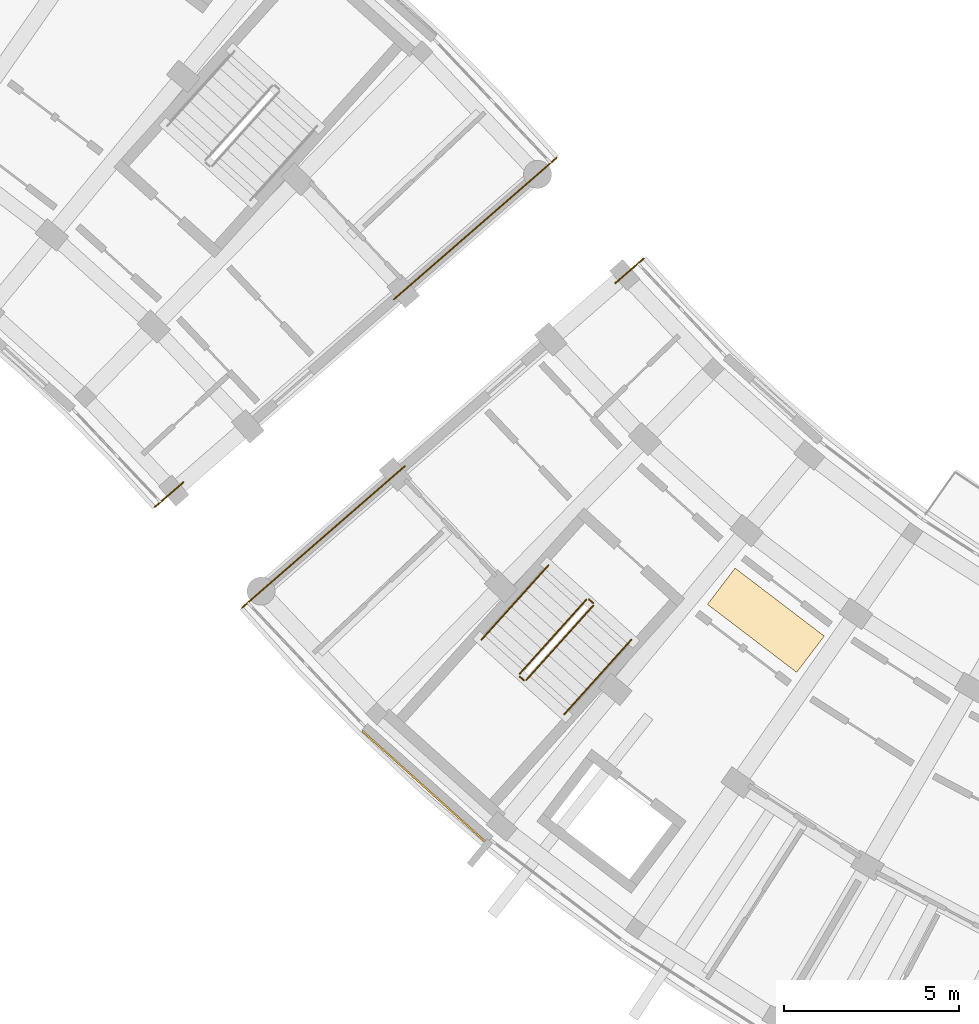
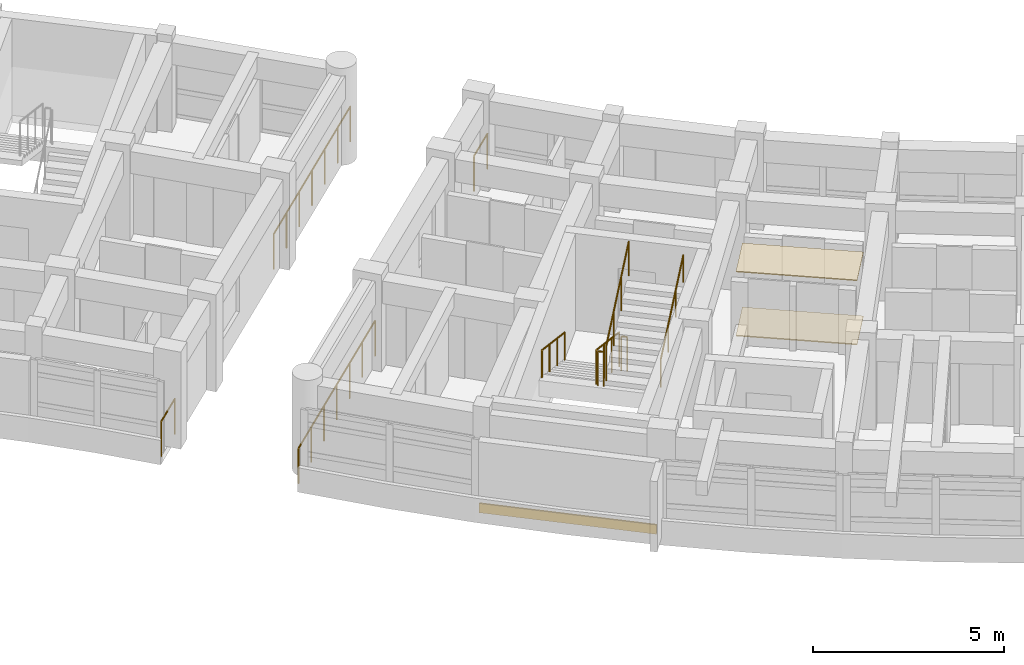
# One storey, part 47 of 56: 10 railings, 3 coverings.
"""IFC4 building model written with IfcOpenShell, lengths in metres."""

import ifcopenshell
import ifcopenshell.guid

model = None  # the IFC model being written
_history = None  # IfcOwnerHistory: only IFC2X3 demands one
_inside = {}  # id of a spatial element -> (the spatial element, [elements in it])
_under = {}  # id of a project, library or spatial element -> (it, [spatial elements below it])
_declared = {}  # id of a project -> (the project, [libraries it declares])
_typed = {}  # id of a type object -> (the type object, [elements of that type])
_made_of = {}  # id of a material, layer set ... -> (it, [elements and type objects made of it])


def new_model(schema):
    """Start an empty IFC model of exactly this schema.

    Asked for "IFC4X3", IfcOpenShell would pick the latest addendum, in which some entities
    have other attributes; the version numbers below select the first issue.
    IFC2X3 requires an IfcOwnerHistory on every rooted entity: one is made here for all.
    """
    global model, _history
    if schema == "IFC4X3":
        model = ifcopenshell.file(schema_version=(4, 3, 0, 0))
    else:
        model = ifcopenshell.file(schema=schema)
    _inside.clear()
    _under.clear()
    _declared.clear()
    _typed.clear()
    _made_of.clear()
    _history = None
    if model.schema == "IFC2X3":
        org = make("IfcOrganization", Name="unknown")
        user = make(
            "IfcPersonAndOrganization",
            ThePerson=make("IfcPerson", FamilyName="unknown"),
            TheOrganization=org,
        )
        app = make(
            "IfcApplication",
            ApplicationDeveloper=org,
            Version="unknown",
            ApplicationFullName="unknown",
            ApplicationIdentifier="unknown",
        )
        _history = make(
            "IfcOwnerHistory",
            OwningUser=user,
            OwningApplication=app,
            ChangeAction="ADDED",
            CreationDate=0,
        )
    return model


def make(cls, **values):
    """One entity of the class cls with the attributes given. An attribute that is None is left unset."""
    return model.create_entity(
        cls, **{name: value for name, value in values.items() if value is not None}
    )


def rooted(cls, **values):
    """An entity with a GlobalId (a new one), such as an element, a storey or a relation."""
    return make(cls, GlobalId=ifcopenshell.guid.new(), OwnerHistory=_history, **values)


def si_unit(unit_type, name, prefix=None):
    """IfcSIUnit, for example si_unit("LENGTHUNIT", "METRE", prefix="MILLI")."""
    return make("IfcSIUnit", UnitType=unit_type, Prefix=prefix, Name=name)


def assignment(units):
    """IfcUnitAssignment: the units of a project."""
    return None if units is None else make("IfcUnitAssignment", Units=units)


def point(xyz):
    """IfcCartesianPoint."""
    return None if xyz is None else make("IfcCartesianPoint", Coordinates=xyz)


def direction(xyz):
    """IfcDirection."""
    return None if xyz is None else make("IfcDirection", DirectionRatios=xyz)


def frame(location, z_axis=None, x_axis=None):
    """IfcAxis2Placement3D, a coordinate frame: its origin and axes. An axis left out is left unset."""
    return make(
        "IfcAxis2Placement3D",
        Location=point(location),
        Axis=direction(z_axis),
        RefDirection=direction(x_axis),
    )


def frame_2d(location, x_axis=None):
    """IfcAxis2Placement2D, a coordinate frame in the plane: its origin and x axis."""
    return make(
        "IfcAxis2Placement2D", Location=point(location), RefDirection=direction(x_axis)
    )


def origin():
    """The frame at (0, 0, 0) with its axes left unset."""
    return frame((0.0, 0.0, 0.0))


def origin_2d():
    """The frame at (0, 0) in the plane with its x axis left unset."""
    return frame_2d((0.0, 0.0))


def place(relative_to, where):
    """IfcLocalPlacement: puts the frame where relative to a parent placement (None: the world)."""
    return make(
        "IfcLocalPlacement", PlacementRelTo=relative_to, RelativePlacement=where
    )


def context(
    kind, dimensions, precision=None, world=None, true_north=None, identifier=None
):
    """IfcGeometricRepresentationContext, for example the 3D "Model" context."""
    return make(
        "IfcGeometricRepresentationContext",
        ContextIdentifier=identifier,
        ContextType=kind,
        CoordinateSpaceDimension=dimensions,
        Precision=precision,
        WorldCoordinateSystem=world,
        TrueNorth=true_north,
    )


def subcontext(parent, identifier, kind, view, scale=None):
    """IfcGeometricRepresentationSubContext, for example "Body" below "Model"."""
    return make(
        "IfcGeometricRepresentationSubContext",
        ContextIdentifier=identifier,
        ContextType=kind,
        ParentContext=parent,
        TargetScale=scale,
        TargetView=view,
    )


def project(units=None, contexts=None):
    """IfcProject with its units and contexts."""
    return rooted(
        "IfcProject",
        Name="project",
        RepresentationContexts=contexts,
        UnitsInContext=assignment(units),
    )


def spatial(cls, under=None, at=None, **own):
    """A site, building, storey or space (cls), placed at a placement, below another one or the project."""
    s = rooted(cls, ObjectPlacement=at, **own)
    if under is not None:
        _under.setdefault(under.id(), (under, []))[1].append(s)
    return s


def profile(cls, at=None, kind="AREA", **sizes):
    """A parametric profile (cls). Its sizes go by their IFC names, for example OverallWidth=200.0."""
    return make(cls, ProfileType=kind, Position=at, **sizes)


def rectangle(**sizes):
    """IfcRectangleProfileDef."""
    return profile("IfcRectangleProfileDef", **sizes)


def circle(**sizes):
    """IfcCircleProfileDef."""
    return profile("IfcCircleProfileDef", **sizes)


def extrude(swept, where, along, depth):
    """IfcExtrudedAreaSolid: the profile swept, set in the frame where, extruded along a direction by depth."""
    return make(
        "IfcExtrudedAreaSolid",
        SweptArea=swept,
        Position=where,
        ExtrudedDirection=direction(along),
        Depth=depth,
    )


def shape(context_of_items, identifier, shape_type, items):
    """IfcShapeRepresentation: the items that make up one representation, for example the "Body"."""
    return make(
        "IfcShapeRepresentation",
        ContextOfItems=context_of_items,
        RepresentationIdentifier=identifier,
        RepresentationType=shape_type,
        Items=items,
    )


def material(Name=None, Category=None):
    """IfcMaterial."""
    return make("IfcMaterial", Name=Name, Category=Category)


def layer(
    of_material, thickness, ventilated=None, Name=None, Category=None, Priority=None
):
    """IfcMaterialLayer: one layer of a wall or slab, of a material (None: an air gap)."""
    return make(
        "IfcMaterialLayer",
        Material=of_material,
        LayerThickness=thickness,
        IsVentilated=ventilated,
        Name=Name,
        Category=Category,
        Priority=Priority,
    )


def layer_set(layers, Name=None):
    """IfcMaterialLayerSet."""
    return make("IfcMaterialLayerSet", MaterialLayers=layers, LayerSetName=Name)


def made_of(thing, what):
    """Note that an element or type object is made of a material, layer set ...; save() writes the relation."""
    if what is not None:
        _made_of.setdefault(what.id(), (what, []))[1].append(thing)
    return thing


def type_object(cls, material=None, **own):
    """A type object (cls), such as IfcWallType, which elements share."""
    return made_of(rooted(cls, **own), material)


def element(
    cls,
    number,
    at=None,
    inside=None,
    cuts=None,
    type_object=None,
    material=None,
    context=None,
    identifier="Body",
    shape_type=None,
    held_by="IfcProductDefinitionShape",
    body=None,
    shapes=None,
    **own,
):
    """One element of the class cls, such as IfcWall. Its Tag is "e" and its number.

    at: its placement. inside: the storey or other place that contains it. cuts: it is an
    opening in that element (IfcRelVoidsElement). A single representation is given by context,
    identifier, shape_type and body (its items); several are given by shapes. held_by: the class
    of the entity that holds the representations. save() writes the other relations.
    """
    e = rooted(cls, Tag="e%d" % number, ObjectPlacement=at, **own)
    if body is not None:
        shapes = [shape(context, identifier, shape_type, body)]
    if shapes is not None:
        e.Representation = make(held_by, Representations=shapes)
    if inside is not None:
        _inside.setdefault(inside.id(), (inside, []))[1].append(e)
    if cuts is not None:
        rooted(
            "IfcRelVoidsElement", RelatingBuildingElement=cuts, RelatedOpeningElement=e
        )
    if type_object is not None:
        _typed.setdefault(type_object.id(), (type_object, []))[1].append(e)
    return made_of(e, material)


def aggregate(whole, parts):
    """IfcRelAggregates: a whole, such as a stair, and the parts it consists of."""
    return rooted("IfcRelAggregates", RelatingObject=whole, RelatedObjects=parts)


def save(model, path):
    """Write the relations noted so far, then the file.

    IfcRelAggregates (storeys below a building ...), IfcRelContainedInSpatialStructure (elements
    in a storey), IfcRelDefinesByType, IfcRelAssociatesMaterial and IfcRelDeclares: one each for
    every whole, place, type object, material and project.
    """
    for whole, parts in _under.values():
        aggregate(whole, parts)
    for where, things in _inside.values():
        rooted(
            "IfcRelContainedInSpatialStructure",
            RelatedElements=things,
            RelatingStructure=where,
        )
    for kind, things in _typed.values():
        rooted("IfcRelDefinesByType", RelatedObjects=things, RelatingType=kind)
    for what, things in _made_of.values():
        rooted("IfcRelAssociatesMaterial", RelatedObjects=things, RelatingMaterial=what)
    for by, libraries in _declared.values():
        rooted("IfcRelDeclares", RelatingContext=by, RelatedDefinitions=libraries)
    model.write(path)


model = new_model("IFC4")

# Units and contexts
model_context = context("Model", 3, precision=1e-05, world=origin(), true_north=direction((0.0, 1.0)))
body_context = subcontext(model_context, "Body", "Model", "MODEL_VIEW")
ifc_project = project(units=[si_unit("LENGTHUNIT", "METRE"), si_unit("AREAUNIT", "SQUARE_METRE"), si_unit("VOLUMEUNIT", "CUBIC_METRE"), si_unit("PLANEANGLEUNIT", "RADIAN"), si_unit("MASSUNIT", "GRAM", prefix="KILO")], contexts=[model_context])

# Site, building, storey
site_placement = place(None, origin())
site = spatial("IfcSite", under=ifc_project, at=site_placement, CompositionType="ELEMENT")
building_placement = place(site_placement, origin())
building = spatial("IfcBuilding", under=site, at=building_placement, Name="Zimvara Arc Housing Community", CompositionType="ELEMENT")
storey_placement = place(building_placement, frame((0.0, 0.0, 11.199951171875)))
storey = spatial("IfcBuildingStorey", under=building, at=storey_placement, Name="L03", CompositionType="ELEMENT", Elevation=11.199951171875)

# Coverings
ifc_material_1 = material(Name="Pale-Gold Anodised Aluminium Cladding", Category="aluminium")
ifc_layer_1 = layer(ifc_material_1, 0.044921875)
ifc_layer_set_1 = layer_set([ifc_layer_1], Name="Pale-Gold Anodised Aluminium Cladding")
covering_type_1 = type_object("IfcCoveringType", Name="CLD-GOLD-02", PredefinedType="CLADDING", material=ifc_layer_set_1)
covering_1_placement = place(storey_placement, frame((86.20166015625, 65.650634765625, 0.01025390625), z_axis=(0.0, 0.0, 1.0), x_axis=(0.74337718344, -0.668872456557, 0.0)))
element("IfcCovering", 1, at=covering_1_placement, inside=storey, type_object=covering_type_1, Name="cld:blkC:L03:out:b1", PredefinedType="CLADDING", context=body_context, shape_type="SweptSolid", body=[
    extrude(rectangle(XDim=4.748779296875, YDim=0.044921875, at=origin_2d()), origin(), (0.0, 0.0, 1.0), 0.300048828125),
])
ifc_material_2 = material(Name="Perforated Acoustic Ceiling Board")
ifc_layer_2 = layer(ifc_material_2, 0.030029296875)
ifc_layer_set_2 = layer_set([ifc_layer_2], Name="Perforated Acoustic Ceiling Board")
covering_type_2 = type_object("IfcCoveringType", Name="COV-CEIL-04", PredefinedType="CEILING", material=ifc_layer_set_2)
covering_2_placement = place(storey_placement, frame((95.954833984375, 70.40087890625, 2.0498046875), z_axis=(0.0, 0.0, 1.0), x_axis=(-0.605988400266, -0.795473480855, 0.0)))
element("IfcCovering", 2, at=covering_2_placement, inside=storey, type_object=covering_type_2, Name="ceil:blkC:L03", PredefinedType="CEILING", context=body_context, shape_type="SweptSolid", body=[
    extrude(rectangle(XDim=1.300048828125, YDim=3.199951171875, at=origin_2d()), origin(), (0.0, 0.0, 1.0), 0.030029296875),
])
ifc_material_3 = material(Name="Polished Coastal Sand Terrazzo")
ifc_layer_3 = layer(ifc_material_3, 0.031982421875)
ifc_layer_set_3 = layer_set([ifc_layer_3], Name="Polished Coastal Sand Terrazzo")
covering_type_3 = type_object("IfcCoveringType", Name="COV-FLOR-04", PredefinedType="FLOORING", material=ifc_layer_set_3)
covering_3_placement = place(storey_placement, frame((95.954833984375, 70.40087890625, 0.0), z_axis=(0.0, 0.0, 1.0), x_axis=(-0.605988400266, -0.795473480855, 0.0)))
element("IfcCovering", 3, at=covering_3_placement, inside=storey, type_object=covering_type_3, Name="flor:blkC:L03", PredefinedType="FLOORING", context=body_context, shape_type="SweptSolid", body=[
    extrude(rectangle(XDim=1.300048828125, YDim=3.199951171875, at=origin_2d()), origin(), (0.0, 0.0, 1.0), 0.031982421875),
])

# Railings
ifc_material_4 = material(Name="Anodised Aluminium AW-6063", Category="aluminium")
railing_type_1 = type_object("IfcRailingType", Name="RLG-BAL-1120", PredefinedType="BALUSTRADE", material=ifc_material_4)
railing_1_placement = place(storey_placement, frame((90.83447265625, 70.993896484375, 0.155029296875)))
element("IfcRailing", 4, at=railing_1_placement, inside=storey, type_object=railing_type_1, Name="L03 ST-C1 stair guard 1", PredefinedType="BALUSTRADE", context=body_context, shape_type="SweptSolid", body=[
    extrude(circle(Radius=0.02392578125, at=origin_2d()), frame((0.0, 0.0, 1.09619140625), z_axis=(-0.601262536038, -0.668205807809, 0.438160200347), x_axis=(0.743362010683, -0.668889319, 0.0)), (0.0, 0.0, 1.0), 3.183837890625),
    extrude(circle(Radius=0.02099609375, at=origin_2d()), origin(), (0.0, 0.0, 1.0), 1.072021484375),
    extrude(circle(Radius=0.02099609375, at=origin_2d()), frame((-0.63818359375, -0.709228515625, 0.465087890625)), (0.0, 0.0, 1.0), 1.072021484375),
    extrude(circle(Radius=0.02099609375, at=origin_2d()), frame((-1.276123046875, -1.418212890625, 0.929931640625)), (0.0, 0.0, 1.0), 1.072021484375),
    extrude(circle(Radius=0.02099609375, at=origin_2d()), frame((-1.914306640625, -2.12744140625, 1.39501953125)), (0.0, 0.0, 1.0), 1.072021484375),
])
railing_2_placement = place(storey_placement, frame((88.923828125, 68.795654296875, 1.550048828125)))
element("IfcRailing", 5, at=railing_2_placement, inside=storey, type_object=railing_type_1, Name="L03 ST-C1 stair guard 2", PredefinedType="BALUSTRADE", context=body_context, shape_type="SweptSolid", body=[
    extrude(circle(Radius=0.02392578125, at=origin_2d()), frame((0.0, 0.0, 1.09619140625), z_axis=(0.744203407529, -0.667953058397, 0.0), x_axis=(0.667953058397, 0.744203407529, 0.0)), (0.0, 0.0, 1.0), 0.16015625),
    extrude(circle(Radius=0.02099609375, at=origin_2d()), origin(), (0.0, 0.0, 1.0), 1.072021484375),
    extrude(circle(Radius=0.02099609375, at=origin_2d()), frame((0.119140625, -0.10693359375, 0.0)), (0.0, 0.0, 1.0), 1.072021484375),
])
railing_3_placement = place(storey_placement, frame((89.113525390625, 68.6923828125, 1.705078125)))
element("IfcRailing", 6, at=railing_3_placement, inside=storey, type_object=railing_type_1, Name="L03 ST-C1 stair guard 3", PredefinedType="BALUSTRADE", context=body_context, shape_type="SweptSolid", body=[
    extrude(circle(Radius=0.02392578125, at=origin_2d()), frame((0.0, 0.0, 1.09619140625), z_axis=(0.601231728384, 0.668248248038, 0.438137749775), x_axis=(-0.743400174344, 0.668846903847, 0.0)), (0.0, 0.0, 1.0), 3.18408203125),
    extrude(circle(Radius=0.02099609375, at=origin_2d()), origin(), (0.0, 0.0, 1.0), 1.072021484375),
    extrude(circle(Radius=0.02099609375, at=origin_2d()), frame((0.63818359375, 0.709228515625, 0.465087890625)), (0.0, 0.0, 1.0), 1.072021484375),
    extrude(circle(Radius=0.02099609375, at=origin_2d()), frame((1.276123046875, 1.41845703125, 0.929931640625)), (0.0, 0.0, 1.0), 1.072021484375),
    extrude(circle(Radius=0.02099609375, at=origin_2d()), frame((1.914306640625, 2.127685546875, 1.39501953125)), (0.0, 0.0, 1.0), 1.072021484375),
])
railing_4_placement = place(storey_placement, frame((90.905029296875, 70.99755859375, 0.0)))
element("IfcRailing", 7, at=railing_4_placement, inside=storey, type_object=railing_type_1, Name="L03 ST-C1 stair guard 4", PredefinedType="BALUSTRADE", context=body_context, shape_type="SweptSolid", body=[
    extrude(circle(Radius=0.02392578125, at=origin_2d()), frame((0.0, 0.0, 1.09619140625), z_axis=(0.744203407529, -0.667953058397, 0.0), x_axis=(0.667953058397, 0.744203407529, 0.0)), (0.0, 0.0, 1.0), 0.16015625),
    extrude(circle(Radius=0.02099609375, at=origin_2d()), origin(), (0.0, 0.0, 1.0), 1.072021484375),
    extrude(circle(Radius=0.02099609375, at=origin_2d()), frame((0.119140625, -0.10693359375, 0.0)), (0.0, 0.0, 1.0), 1.072021484375),
])
ifc_material_5 = material(Name="Anodised Aluminium AW-6063", Category="aluminium")
railing_type_2 = type_object("IfcRailingType", Name="RLG-BAL-1150", PredefinedType="BALUSTRADE", material=ifc_material_5)
railing_5_placement = place(storey_placement, frame((78.509033203125, 73.62890625, 0.0)))
element("IfcRailing", 8, at=railing_5_placement, inside=storey, type_object=railing_type_2, Name="rlg:blkB:L03:gable_in:gN", PredefinedType="BALUSTRADE", context=body_context, shape_type="SweptSolid", body=[
    extrude(circle(Radius=0.02392578125, at=origin_2d()), frame((0.0, 0.0, 1.1259765625), z_axis=(0.754659042762, 0.656117161167, 0.0), x_axis=(-0.656117161167, 0.754659042762, 0.0)), (0.0, 0.0, 1.0), 1.080322265625),
    extrude(circle(Radius=0.02099609375, at=origin_2d()), origin(), (0.0, 0.0, 1.0), 1.101806640625),
    extrude(circle(Radius=0.02099609375, at=origin_2d()), frame((0.815185546875, 0.708740234375, 0.0)), (0.0, 0.0, 1.0), 1.101806640625),
])
railing_6_placement = place(storey_placement, frame((85.331787109375, 79.559814453125, 0.0)))
element("IfcRailing", 9, at=railing_6_placement, inside=storey, type_object=railing_type_2, Name="rlg:blkB:L03:gable_out:gN", PredefinedType="BALUSTRADE", context=body_context, shape_type="SweptSolid", body=[
    extrude(circle(Radius=0.02392578125, at=origin_2d()), frame((0.0, 0.0, 1.1259765625), z_axis=(0.754708757217, 0.656059975749, 0.0), x_axis=(-0.656059975749, 0.754708757217, 0.0)), (0.0, 0.0, 1.0), 6.159912109375),
    extrude(circle(Radius=0.02099609375, at=origin_2d()), origin(), (0.0, 0.0, 1.0), 1.101806640625),
    extrude(circle(Radius=0.02099609375, at=origin_2d()), frame((0.77490234375, 0.673583984375, 0.0)), (0.0, 0.0, 1.0), 1.101806640625),
    extrude(circle(Radius=0.02099609375, at=origin_2d()), frame((1.549560546875, 1.34716796875, 0.0)), (0.0, 0.0, 1.0), 1.101806640625),
    extrude(circle(Radius=0.02099609375, at=origin_2d()), frame((2.324462890625, 2.0205078125, 0.0)), (0.0, 0.0, 1.0), 1.101806640625),
    extrude(circle(Radius=0.02099609375, at=origin_2d()), frame((3.099365234375, 2.694091796875, 0.0)), (0.0, 0.0, 1.0), 1.101806640625),
    extrude(circle(Radius=0.02099609375, at=origin_2d()), frame((3.8740234375, 3.36767578125, 0.0)), (0.0, 0.0, 1.0), 1.101806640625),
    extrude(circle(Radius=0.02099609375, at=origin_2d()), frame((4.64892578125, 4.041259765625, 0.0)), (0.0, 0.0, 1.0), 1.101806640625),
])
railing_7_placement = place(storey_placement, frame((92.470947265625, 80.73095703125, 0.0)))
element("IfcRailing", 10, at=railing_7_placement, inside=storey, type_object=railing_type_2, Name="rlg:blkC:L03:gable_in:g0", PredefinedType="BALUSTRADE", context=body_context, shape_type="SweptSolid", body=[
    extrude(circle(Radius=0.02392578125, at=origin_2d()), frame((0.0, 0.0, 1.1259765625), z_axis=(-0.75477095777, -0.655988415528, 0.0), x_axis=(0.655988415528, -0.75477095777, 0.0)), (0.0, 0.0, 1.0), 1.080078125),
    extrude(circle(Radius=0.02099609375, at=origin_2d()), origin(), (0.0, 0.0, 1.0), 1.101806640625),
    extrude(circle(Radius=0.02099609375, at=origin_2d()), frame((-0.815185546875, -0.70849609375, 0.0)), (0.0, 0.0, 1.0), 1.101806640625),
])
railing_8_placement = place(storey_placement, frame((85.6484375, 74.80029296875, 0.0)))
element("IfcRailing", 11, at=railing_8_placement, inside=storey, type_object=railing_type_2, Name="rlg:blkC:L03:gable_out:g0", PredefinedType="BALUSTRADE", context=body_context, shape_type="SweptSolid", body=[
    extrude(circle(Radius=0.02392578125, at=origin_2d()), frame((0.0, 0.0, 1.1259765625), z_axis=(-0.754706192268, -0.656062926367, 0.0), x_axis=(0.656062926367, -0.754706192268, 0.0)), (0.0, 0.0, 1.0), 6.16015625),
    extrude(circle(Radius=0.02099609375, at=origin_2d()), origin(), (0.0, 0.0, 1.0), 1.101806640625),
    extrude(circle(Radius=0.02099609375, at=origin_2d()), frame((-0.77490234375, -0.673583984375, 0.0)), (0.0, 0.0, 1.0), 1.101806640625),
    extrude(circle(Radius=0.02099609375, at=origin_2d()), frame((-1.5498046875, -1.34716796875, 0.0)), (0.0, 0.0, 1.0), 1.101806640625),
    extrude(circle(Radius=0.02099609375, at=origin_2d()), frame((-2.32470703125, -2.020751953125, 0.0)), (0.0, 0.0, 1.0), 1.101806640625),
    extrude(circle(Radius=0.02099609375, at=origin_2d()), frame((-3.099365234375, -2.6943359375, 0.0)), (0.0, 0.0, 1.0), 1.101806640625),
    extrude(circle(Radius=0.02099609375, at=origin_2d()), frame((-3.874267578125, -3.367919921875, 0.0)), (0.0, 0.0, 1.0), 1.101806640625),
    extrude(circle(Radius=0.02099609375, at=origin_2d()), frame((-4.649169921875, -4.04150390625, 0.0)), (0.0, 0.0, 1.0), 1.101806640625),
])
ifc_material_6 = material(Name="Anodised Aluminium AW-6063", Category="aluminium")
railing_type_3 = type_object("IfcRailingType", Name="RLG-HND-900", PredefinedType="HANDRAIL", material=ifc_material_6)
railing_9_placement = place(storey_placement, frame((89.749267578125, 71.970458984375, 0.155029296875)))
element("IfcRailing", 12, at=railing_9_placement, inside=storey, type_object=railing_type_3, Name="L03 ST-C1 stair handrail 1", PredefinedType="HANDRAIL", context=body_context, shape_type="SweptSolid", body=[
    extrude(circle(Radius=0.02392578125, at=origin_2d()), frame((0.0, 0.0, 0.8759765625), z_axis=(-0.601262536038, -0.668205807809, 0.438160200347), x_axis=(0.743362010683, -0.668889319, 0.0)), (0.0, 0.0, 1.0), 3.183837890625),
    extrude(circle(Radius=0.02099609375, at=origin_2d()), origin(), (0.0, 0.0, 1.0), 0.851806640625),
    extrude(circle(Radius=0.02099609375, at=origin_2d()), frame((-0.63818359375, -0.709228515625, 0.465087890625)), (0.0, 0.0, 1.0), 0.851806640625),
    extrude(circle(Radius=0.02099609375, at=origin_2d()), frame((-1.276123046875, -1.418212890625, 0.929931640625)), (0.0, 0.0, 1.0), 0.851806640625),
    extrude(circle(Radius=0.02099609375, at=origin_2d()), frame((-1.914306640625, -2.12744140625, 1.39501953125)), (0.0, 0.0, 1.0), 0.851806640625),
])
railing_10_placement = place(storey_placement, frame((90.19873046875, 67.7158203125, 1.705078125)))
element("IfcRailing", 13, at=railing_10_placement, inside=storey, type_object=railing_type_3, Name="L03 ST-C1 stair handrail 2", PredefinedType="HANDRAIL", context=body_context, shape_type="SweptSolid", body=[
    extrude(circle(Radius=0.02392578125, at=origin_2d()), frame((0.0, 0.0, 0.8759765625), z_axis=(0.601231728384, 0.668248248038, 0.438137749775), x_axis=(-0.743400174344, 0.668846903847, 0.0)), (0.0, 0.0, 1.0), 3.18408203125),
    extrude(circle(Radius=0.02099609375, at=origin_2d()), origin(), (0.0, 0.0, 1.0), 0.851806640625),
    extrude(circle(Radius=0.02099609375, at=origin_2d()), frame((0.63818359375, 0.709228515625, 0.465087890625)), (0.0, 0.0, 1.0), 0.851806640625),
    extrude(circle(Radius=0.02099609375, at=origin_2d()), frame((1.276123046875, 1.41845703125, 0.929931640625)), (0.0, 0.0, 1.0), 0.851806640625),
    extrude(circle(Radius=0.02099609375, at=origin_2d()), frame((1.914306640625, 2.127685546875, 1.39501953125)), (0.0, 0.0, 1.0), 0.851806640625),
])

save(model, "model.ifc")
